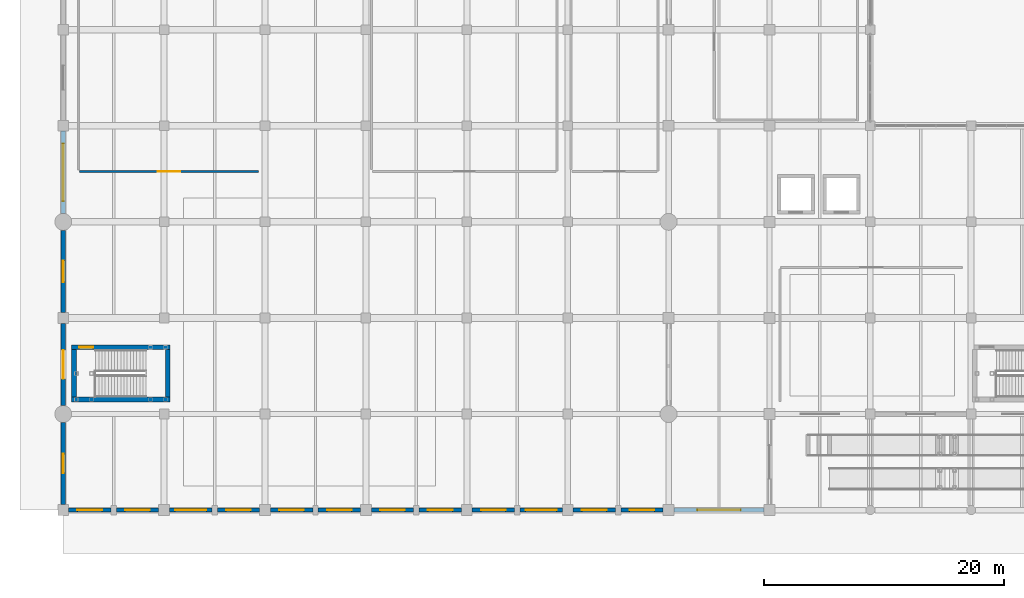
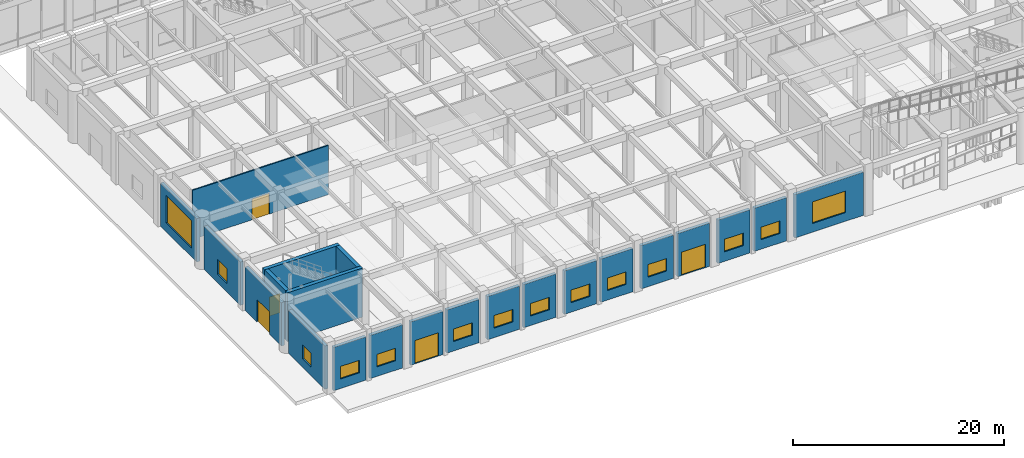
# One storey, part 49 of 76: 22 walls, 14 windows, 5 doors, 19 openings.
"""IFC4 building model written with IfcOpenShell, lengths in metres."""

from ifc_helpers import new_model, si_unit, direction, frame, frame_2d, origin, place, context, subcontext, project, spatial, rectangle, extrude, material, layer, layer_set, type_object, element, fill, save


model = new_model("IFC4")

# Units and contexts
model_context = context("Model", 3, precision=1e-05, world=origin(), true_north=direction((0.0, 1.0)))
body_context = subcontext(model_context, "Body", "Model", "MODEL_VIEW")
ifc_project = project(units=[si_unit("LENGTHUNIT", "METRE"), si_unit("AREAUNIT", "SQUARE_METRE"), si_unit("VOLUMEUNIT", "CUBIC_METRE"), si_unit("PLANEANGLEUNIT", "RADIAN"), si_unit("MASSUNIT", "GRAM", prefix="KILO")], contexts=[model_context])

# Site, building, storey
site_placement = place(None, origin())
site = spatial("IfcSite", under=ifc_project, at=site_placement, CompositionType="ELEMENT")
building_placement = place(site_placement, origin())
building = spatial("IfcBuilding", under=site, at=building_placement, Name="Naruveol Harbour Congress Hotel", CompositionType="ELEMENT")
storey_placement = place(building_placement, origin())
storey = spatial("IfcBuildingStorey", under=building, at=storey_placement, Name="L00", CompositionType="ELEMENT", Elevation=0.0)

# Wall, opening, window
ifc_material_1 = material(Name="Concrete C40/50", Category="concrete")
ifc_layer_1 = layer(ifc_material_1, 0.340087890625)
ifc_layer_set_1 = layer_set([ifc_layer_1], Name="Concrete C40/50")
wall_type_1 = type_object("IfcWallType", Name="ACOUSTIC CONGRESS ENVELOPE WALL 340", PredefinedType="SOLIDWALL", material=ifc_layer_set_1)
wall_1_placement = place(storey_placement, frame((49.949951171875, 0.0, 0.0), z_axis=(0.0, 0.0, 1.0), x_axis=(-1.0, 0.0, 0.0)))
wall_1 = element("IfcWall", 1, at=wall_1_placement, inside=storey, type_object=wall_type_1, Name="Congress south acoustic facade EW-340", PredefinedType="SOLIDWALL", context=body_context, shape_type="SweptSolid", body=[
    extrude(rectangle(XDim=3.52490234375, YDim=0.340087890625, at=frame_2d((1.762451171875, 0.0))), origin(), (0.0, 0.0, 1.0), 5.0),
])
opening_1_placement = place(wall_1_placement, frame((0.738037109375, 0.0, 1.10009765625)))
opening_1 = element("IfcOpeningElement", 2, at=opening_1_placement, cuts=wall_1, Name="Opening W-33", PredefinedType="OPENING", context=body_context, shape_type="SweptSolid", body=[
    extrude(rectangle(XDim=2.050048828125, YDim=1.449951171875, at=frame_2d((1.02490234375, 0.72509765625))), frame((0.0, 0.179931640625, 0.0), z_axis=(0.0, -1.0, 0.0), x_axis=(1.0, 0.0, 0.0)), (0.0, 0.0, 1.0), 0.360107421875),
])
ifc_material_2 = material(Name="Low-E Triple Glazing in Thermal Aluminium", Category="aluminium")
window_type_1 = type_object("IfcWindowType", Name="CONGRESS PILASTER BAY WINDOW 2050X1450", PartitioningType="DOUBLE_PANEL_VERTICAL", PredefinedType="WINDOW", material=ifc_material_2)
window_1_placement = place(opening_1_placement, origin())
window_1 = element("IfcWindow", 3, at=window_1_placement, inside=storey, type_object=window_type_1, Name="Window W-33 #1", OverallHeight=1.449951171875, OverallWidth=2.050048828125, PartitioningType="DOUBLE_PANEL_VERTICAL", PredefinedType="WINDOW", context=body_context, shape_type="SweptSolid", body=[
    extrude(rectangle(XDim=2.050048828125, YDim=1.449951171875, at=frame_2d((1.02490234375, 0.72509765625))), frame((0.0, 0.030029296875, 0.0), z_axis=(0.0, -1.0, 0.0), x_axis=(1.0, 0.0, 0.0)), (0.0, 0.0, 1.0), 0.06005859375),
])
fill(opening_1, window_1)

wall_2_placement = place(storey_placement, frame((45.97509765625, 0.0, 0.0), z_axis=(0.0, 0.0, 1.0), x_axis=(-1.0, 0.0, 0.0)))
wall_2 = element("IfcWall", 4, at=wall_2_placement, inside=storey, type_object=wall_type_1, Name="Congress south acoustic facade EW-340", PredefinedType="SOLIDWALL", context=body_context, shape_type="SweptSolid", body=[
    extrude(rectangle(XDim=3.525146484375, YDim=0.340087890625, at=frame_2d((1.7626953125, 0.0))), origin(), (0.0, 0.0, 1.0), 5.0),
])
opening_2_placement = place(wall_2_placement, frame((0.737060546875, 0.0, 1.10009765625)))
opening_2 = element("IfcOpeningElement", 5, at=opening_2_placement, cuts=wall_2, Name="Opening W-33", PredefinedType="OPENING", context=body_context, shape_type="SweptSolid", body=[
    extrude(rectangle(XDim=2.050048828125, YDim=1.449951171875, at=frame_2d((1.02490234375, 0.72509765625))), frame((0.0, 0.179931640625, 0.0), z_axis=(0.0, -1.0, 0.0), x_axis=(1.0, 0.0, 0.0)), (0.0, 0.0, 1.0), 0.360107421875),
])
window_2_placement = place(opening_2_placement, origin())
window_2 = element("IfcWindow", 6, at=window_2_placement, inside=storey, type_object=window_type_1, Name="Window W-33 #2", OverallHeight=1.449951171875, OverallWidth=2.050048828125, PartitioningType="DOUBLE_PANEL_VERTICAL", PredefinedType="WINDOW", context=body_context, shape_type="SweptSolid", body=[
    extrude(rectangle(XDim=2.050048828125, YDim=1.449951171875, at=frame_2d((1.02490234375, 0.72509765625))), frame((0.0, 0.030029296875, 0.0), z_axis=(0.0, -1.0, 0.0), x_axis=(1.0, 0.0, 0.0)), (0.0, 0.0, 1.0), 0.06005859375),
])
fill(opening_2, window_2)

# Wall, opening, door
wall_3_placement = place(storey_placement, frame((41.550048828125, 0.0, 0.0), z_axis=(0.0, 0.0, 1.0), x_axis=(-1.0, 0.0, 0.0)))
wall_3 = element("IfcWall", 7, at=wall_3_placement, inside=storey, type_object=wall_type_1, Name="Congress south acoustic facade EW-340", PredefinedType="SOLIDWALL", context=body_context, shape_type="SweptSolid", body=[
    extrude(rectangle(XDim=3.525146484375, YDim=0.340087890625, at=frame_2d((1.7626953125, 0.0))), origin(), (0.0, 0.0, 1.0), 5.0),
])
opening_3_placement = place(wall_3_placement, frame((0.4619140625, 0.0, 0.0)))
opening_3 = element("IfcOpeningElement", 8, at=opening_3_placement, cuts=wall_3, Name="Opening E1", PredefinedType="OPENING", context=body_context, shape_type="SweptSolid", body=[
    extrude(rectangle(XDim=2.60009765625, YDim=2.699951171875, at=frame_2d((1.300048828125, 1.35009765625))), frame((0.0, 0.179931640625, 0.0), z_axis=(0.0, -1.0, 0.0), x_axis=(1.0, 0.0, 0.0)), (0.0, 0.0, 1.0), 0.360107421875),
])
ifc_material_3 = material(Name="Powder-Coated Steel & Insulated Glazing", Category="steel")
door_type_1 = type_object("IfcDoorType", Name="FINAL EXIT CONGRESS DOOR 2600X2700", OperationType="DOUBLE_DOOR_SINGLE_SWING", PredefinedType="DOOR", material=ifc_material_3)
door_1_placement = place(opening_3_placement, origin())
door_1 = element("IfcDoor", 9, at=door_1_placement, inside=storey, type_object=door_type_1, Name="Final Exit Door E1", OperationType="DOUBLE_DOOR_SINGLE_SWING", OverallHeight=2.699951171875, OverallWidth=2.60009765625, PredefinedType="DOOR", context=body_context, shape_type="SweptSolid", body=[
    extrude(rectangle(XDim=2.60009765625, YDim=2.699951171875, at=frame_2d((1.300048828125, 1.35009765625))), frame((0.0, 0.02490234375, 0.0), z_axis=(0.0, -1.0, 0.0), x_axis=(1.0, 0.0, 0.0)), (0.0, 0.0, 1.0), 0.050048828125),
])
fill(opening_3, door_1)

# Wall, opening, window
wall_4_placement = place(storey_placement, frame((37.574951171875, 0.0, 0.0), z_axis=(0.0, 0.0, 1.0), x_axis=(-1.0, 0.0, 0.0)))
wall_4 = element("IfcWall", 10, at=wall_4_placement, inside=storey, type_object=wall_type_1, Name="Congress south acoustic facade EW-340", PredefinedType="SOLIDWALL", context=body_context, shape_type="SweptSolid", body=[
    extrude(rectangle(XDim=3.52490234375, YDim=0.340087890625, at=frame_2d((1.762451171875, 0.0))), origin(), (0.0, 0.0, 1.0), 5.0),
])
opening_4_placement = place(wall_4_placement, frame((0.738037109375, 0.0, 1.10009765625)))
opening_4 = element("IfcOpeningElement", 11, at=opening_4_placement, cuts=wall_4, Name="Opening W-33", PredefinedType="OPENING", context=body_context, shape_type="SweptSolid", body=[
    extrude(rectangle(XDim=2.050048828125, YDim=1.449951171875, at=frame_2d((1.02490234375, 0.72509765625))), frame((0.0, 0.179931640625, 0.0), z_axis=(0.0, -1.0, 0.0), x_axis=(1.0, 0.0, 0.0)), (0.0, 0.0, 1.0), 0.360107421875),
])
window_3_placement = place(opening_4_placement, origin())
window_3 = element("IfcWindow", 12, at=window_3_placement, inside=storey, type_object=window_type_1, Name="Window W-33 #3", OverallHeight=1.449951171875, OverallWidth=2.050048828125, PartitioningType="DOUBLE_PANEL_VERTICAL", PredefinedType="WINDOW", context=body_context, shape_type="SweptSolid", body=[
    extrude(rectangle(XDim=2.050048828125, YDim=1.449951171875, at=frame_2d((1.02490234375, 0.72509765625))), frame((0.0, 0.030029296875, 0.0), z_axis=(0.0, -1.0, 0.0), x_axis=(1.0, 0.0, 0.0)), (0.0, 0.0, 1.0), 0.06005859375),
])
fill(opening_4, window_3)

wall_5_placement = place(storey_placement, frame((33.14990234375, 0.0, 0.0), z_axis=(0.0, 0.0, 1.0), x_axis=(-1.0, 0.0, 0.0)))
wall_5 = element("IfcWall", 13, at=wall_5_placement, inside=storey, type_object=wall_type_1, Name="Congress south acoustic facade EW-340", PredefinedType="SOLIDWALL", context=body_context, shape_type="SweptSolid", body=[
    extrude(rectangle(XDim=3.52490234375, YDim=0.340087890625, at=frame_2d((1.762451171875, 0.0))), origin(), (0.0, 0.0, 1.0), 5.0),
])
opening_5_placement = place(wall_5_placement, frame((0.737060546875, 0.0, 1.10009765625)))
opening_5 = element("IfcOpeningElement", 14, at=opening_5_placement, cuts=wall_5, Name="Opening W-33", PredefinedType="OPENING", context=body_context, shape_type="SweptSolid", body=[
    extrude(rectangle(XDim=2.050048828125, YDim=1.449951171875, at=frame_2d((1.02490234375, 0.72509765625))), frame((0.0, 0.179931640625, 0.0), z_axis=(0.0, -1.0, 0.0), x_axis=(1.0, 0.0, 0.0)), (0.0, 0.0, 1.0), 0.360107421875),
])
window_4_placement = place(opening_5_placement, origin())
window_4 = element("IfcWindow", 15, at=window_4_placement, inside=storey, type_object=window_type_1, Name="Window W-33 #4", OverallHeight=1.449951171875, OverallWidth=2.050048828125, PartitioningType="DOUBLE_PANEL_VERTICAL", PredefinedType="WINDOW", context=body_context, shape_type="SweptSolid", body=[
    extrude(rectangle(XDim=2.050048828125, YDim=1.449951171875, at=frame_2d((1.02490234375, 0.72509765625))), frame((0.0, 0.030029296875, 0.0), z_axis=(0.0, -1.0, 0.0), x_axis=(1.0, 0.0, 0.0)), (0.0, 0.0, 1.0), 0.06005859375),
])
fill(opening_5, window_4)

wall_6_placement = place(storey_placement, frame((29.175048828125, 0.0, 0.0), z_axis=(0.0, 0.0, 1.0), x_axis=(-1.0, 0.0, 0.0)))
wall_6 = element("IfcWall", 16, at=wall_6_placement, inside=storey, type_object=wall_type_1, Name="Congress south acoustic facade EW-340", PredefinedType="SOLIDWALL", context=body_context, shape_type="SweptSolid", body=[
    extrude(rectangle(XDim=3.525146484375, YDim=0.340087890625, at=frame_2d((1.7626953125, 0.0))), origin(), (0.0, 0.0, 1.0), 5.0),
])
opening_6_placement = place(wall_6_placement, frame((0.738037109375, 0.0, 1.10009765625)))
opening_6 = element("IfcOpeningElement", 17, at=opening_6_placement, cuts=wall_6, Name="Opening W-33", PredefinedType="OPENING", context=body_context, shape_type="SweptSolid", body=[
    extrude(rectangle(XDim=2.050048828125, YDim=1.449951171875, at=frame_2d((1.02490234375, 0.72509765625))), frame((0.0, 0.179931640625, 0.0), z_axis=(0.0, -1.0, 0.0), x_axis=(1.0, 0.0, 0.0)), (0.0, 0.0, 1.0), 0.360107421875),
])
window_5_placement = place(opening_6_placement, origin())
window_5 = element("IfcWindow", 18, at=window_5_placement, inside=storey, type_object=window_type_1, Name="Window W-33 #5", OverallHeight=1.449951171875, OverallWidth=2.050048828125, PartitioningType="DOUBLE_PANEL_VERTICAL", PredefinedType="WINDOW", context=body_context, shape_type="SweptSolid", body=[
    extrude(rectangle(XDim=2.050048828125, YDim=1.449951171875, at=frame_2d((1.02490234375, 0.72509765625))), frame((0.0, 0.030029296875, 0.0), z_axis=(0.0, -1.0, 0.0), x_axis=(1.0, 0.0, 0.0)), (0.0, 0.0, 1.0), 0.06005859375),
])
fill(opening_6, window_5)

wall_7_placement = place(storey_placement, frame((24.75, 0.0, 0.0), z_axis=(0.0, 0.0, 1.0), x_axis=(-1.0, 0.0, 0.0)))
wall_7 = element("IfcWall", 19, at=wall_7_placement, inside=storey, type_object=wall_type_1, Name="Congress south acoustic facade EW-340", PredefinedType="SOLIDWALL", context=body_context, shape_type="SweptSolid", body=[
    extrude(rectangle(XDim=3.52490234375, YDim=0.340087890625, at=frame_2d((1.762451171875, 0.0))), origin(), (0.0, 0.0, 1.0), 5.0),
])
opening_7_placement = place(wall_7_placement, frame((0.737060546875, 0.0, 1.10009765625)))
opening_7 = element("IfcOpeningElement", 20, at=opening_7_placement, cuts=wall_7, Name="Opening W-33", PredefinedType="OPENING", context=body_context, shape_type="SweptSolid", body=[
    extrude(rectangle(XDim=2.050048828125, YDim=1.449951171875, at=frame_2d((1.02490234375, 0.72509765625))), frame((0.0, 0.179931640625, 0.0), z_axis=(0.0, -1.0, 0.0), x_axis=(1.0, 0.0, 0.0)), (0.0, 0.0, 1.0), 0.360107421875),
])
window_6_placement = place(opening_7_placement, origin())
window_6 = element("IfcWindow", 21, at=window_6_placement, inside=storey, type_object=window_type_1, Name="Window W-33 #6", OverallHeight=1.449951171875, OverallWidth=2.050048828125, PartitioningType="DOUBLE_PANEL_VERTICAL", PredefinedType="WINDOW", context=body_context, shape_type="SweptSolid", body=[
    extrude(rectangle(XDim=2.050048828125, YDim=1.449951171875, at=frame_2d((1.02490234375, 0.72509765625))), frame((0.0, 0.030029296875, 0.0), z_axis=(0.0, -1.0, 0.0), x_axis=(1.0, 0.0, 0.0)), (0.0, 0.0, 1.0), 0.06005859375),
])
fill(opening_7, window_6)

wall_8_placement = place(storey_placement, frame((20.77490234375, 0.0, 0.0), z_axis=(0.0, 0.0, 1.0), x_axis=(-1.0, 0.0, 0.0)))
wall_8 = element("IfcWall", 22, at=wall_8_placement, inside=storey, type_object=wall_type_1, Name="Congress south acoustic facade EW-340", PredefinedType="SOLIDWALL", context=body_context, shape_type="SweptSolid", body=[
    extrude(rectangle(XDim=3.52490234375, YDim=0.340087890625, at=frame_2d((1.762451171875, 0.0))), origin(), (0.0, 0.0, 1.0), 5.0),
])
opening_8_placement = place(wall_8_placement, frame((0.737060546875, 0.0, 1.10009765625)))
opening_8 = element("IfcOpeningElement", 23, at=opening_8_placement, cuts=wall_8, Name="Opening W-33", PredefinedType="OPENING", context=body_context, shape_type="SweptSolid", body=[
    extrude(rectangle(XDim=2.050048828125, YDim=1.449951171875, at=frame_2d((1.02490234375, 0.72509765625))), frame((0.0, 0.179931640625, 0.0), z_axis=(0.0, -1.0, 0.0), x_axis=(1.0, 0.0, 0.0)), (0.0, 0.0, 1.0), 0.360107421875),
])
window_7_placement = place(opening_8_placement, origin())
window_7 = element("IfcWindow", 24, at=window_7_placement, inside=storey, type_object=window_type_1, Name="Window W-33 #7", OverallHeight=1.449951171875, OverallWidth=2.050048828125, PartitioningType="DOUBLE_PANEL_VERTICAL", PredefinedType="WINDOW", context=body_context, shape_type="SweptSolid", body=[
    extrude(rectangle(XDim=2.050048828125, YDim=1.449951171875, at=frame_2d((1.02490234375, 0.72509765625))), frame((0.0, 0.030029296875, 0.0), z_axis=(0.0, -1.0, 0.0), x_axis=(1.0, 0.0, 0.0)), (0.0, 0.0, 1.0), 0.06005859375),
])
fill(opening_8, window_7)

wall_9_placement = place(storey_placement, frame((16.35009765625, 0.0, 0.0), z_axis=(0.0, 0.0, 1.0), x_axis=(-1.0, 0.0, 0.0)))
wall_9 = element("IfcWall", 25, at=wall_9_placement, inside=storey, type_object=wall_type_1, Name="Congress south acoustic facade EW-340", PredefinedType="SOLIDWALL", context=body_context, shape_type="SweptSolid", body=[
    extrude(rectangle(XDim=3.525146484375, YDim=0.340087890625, at=frame_2d((1.7626953125, 0.0))), origin(), (0.0, 0.0, 1.0), 5.0),
])
opening_9_placement = place(wall_9_placement, frame((0.738037109375, 0.0, 1.10009765625)))
opening_9 = element("IfcOpeningElement", 26, at=opening_9_placement, cuts=wall_9, Name="Opening W-33", PredefinedType="OPENING", context=body_context, shape_type="SweptSolid", body=[
    extrude(rectangle(XDim=2.050048828125, YDim=1.449951171875, at=frame_2d((1.02490234375, 0.72509765625))), frame((0.0, 0.179931640625, 0.0), z_axis=(0.0, -1.0, 0.0), x_axis=(1.0, 0.0, 0.0)), (0.0, 0.0, 1.0), 0.360107421875),
])
window_8_placement = place(opening_9_placement, origin())
window_8 = element("IfcWindow", 27, at=window_8_placement, inside=storey, type_object=window_type_1, Name="Window W-33 #8", OverallHeight=1.449951171875, OverallWidth=2.050048828125, PartitioningType="DOUBLE_PANEL_VERTICAL", PredefinedType="WINDOW", context=body_context, shape_type="SweptSolid", body=[
    extrude(rectangle(XDim=2.050048828125, YDim=1.449951171875, at=frame_2d((1.02490234375, 0.72509765625))), frame((0.0, 0.030029296875, 0.0), z_axis=(0.0, -1.0, 0.0), x_axis=(1.0, 0.0, 0.0)), (0.0, 0.0, 1.0), 0.06005859375),
])
fill(opening_9, window_8)

# Wall, opening, door
wall_10_placement = place(storey_placement, frame((12.375, 0.0, 0.0), z_axis=(0.0, 0.0, 1.0), x_axis=(-1.0, 0.0, 0.0)))
wall_10 = element("IfcWall", 28, at=wall_10_placement, inside=storey, type_object=wall_type_1, Name="Congress south acoustic facade EW-340", PredefinedType="SOLIDWALL", context=body_context, shape_type="SweptSolid", body=[
    extrude(rectangle(XDim=3.52490234375, YDim=0.340087890625, at=frame_2d((1.762451171875, 0.0))), origin(), (0.0, 0.0, 1.0), 5.0),
])
opening_10_placement = place(wall_10_placement, frame((0.462890625, 0.0, 0.0)))
opening_10 = element("IfcOpeningElement", 29, at=opening_10_placement, cuts=wall_10, Name="Opening E2", PredefinedType="OPENING", context=body_context, shape_type="SweptSolid", body=[
    extrude(rectangle(XDim=2.60009765625, YDim=2.699951171875, at=frame_2d((1.300048828125, 1.35009765625))), frame((0.0, 0.179931640625, 0.0), z_axis=(0.0, -1.0, 0.0), x_axis=(1.0, 0.0, 0.0)), (0.0, 0.0, 1.0), 0.360107421875),
])
door_2_placement = place(opening_10_placement, origin())
door_2 = element("IfcDoor", 30, at=door_2_placement, inside=storey, type_object=door_type_1, Name="Final Exit Door E2", OperationType="DOUBLE_DOOR_SINGLE_SWING", OverallHeight=2.699951171875, OverallWidth=2.60009765625, PredefinedType="DOOR", context=body_context, shape_type="SweptSolid", body=[
    extrude(rectangle(XDim=2.60009765625, YDim=2.699951171875, at=frame_2d((1.300048828125, 1.35009765625))), frame((0.0, 0.02490234375, 0.0), z_axis=(0.0, -1.0, 0.0), x_axis=(1.0, 0.0, 0.0)), (0.0, 0.0, 1.0), 0.050048828125),
])
fill(opening_10, door_2)

# Wall, opening, window
wall_11_placement = place(storey_placement, frame((7.949951171875, 0.0, 0.0), z_axis=(0.0, 0.0, 1.0), x_axis=(-1.0, 0.0, 0.0)))
wall_11 = element("IfcWall", 31, at=wall_11_placement, inside=storey, type_object=wall_type_1, Name="Congress south acoustic facade EW-340", PredefinedType="SOLIDWALL", context=body_context, shape_type="SweptSolid", body=[
    extrude(rectangle(XDim=3.52490234375, YDim=0.340087890625, at=frame_2d((1.762451171875, 0.0))), origin(), (0.0, 0.0, 1.0), 5.0),
])
opening_11_placement = place(wall_11_placement, frame((0.738037109375, 0.0, 1.10009765625)))
opening_11 = element("IfcOpeningElement", 32, at=opening_11_placement, cuts=wall_11, Name="Opening W-33", PredefinedType="OPENING", context=body_context, shape_type="SweptSolid", body=[
    extrude(rectangle(XDim=2.050048828125, YDim=1.449951171875, at=frame_2d((1.02490234375, 0.72509765625))), frame((0.0, 0.179931640625, 0.0), z_axis=(0.0, -1.0, 0.0), x_axis=(1.0, 0.0, 0.0)), (0.0, 0.0, 1.0), 0.360107421875),
])
window_9_placement = place(opening_11_placement, origin())
window_9 = element("IfcWindow", 33, at=window_9_placement, inside=storey, type_object=window_type_1, Name="Window W-33 #9", OverallHeight=1.449951171875, OverallWidth=2.050048828125, PartitioningType="DOUBLE_PANEL_VERTICAL", PredefinedType="WINDOW", context=body_context, shape_type="SweptSolid", body=[
    extrude(rectangle(XDim=2.050048828125, YDim=1.449951171875, at=frame_2d((1.02490234375, 0.72509765625))), frame((0.0, 0.030029296875, 0.0), z_axis=(0.0, -1.0, 0.0), x_axis=(1.0, 0.0, 0.0)), (0.0, 0.0, 1.0), 0.06005859375),
])
fill(opening_11, window_9)

wall_12_placement = place(storey_placement, frame((3.97509765625, 0.0, 0.0), z_axis=(0.0, 0.0, 1.0), x_axis=(-1.0, 0.0, 0.0)))
wall_12 = element("IfcWall", 34, at=wall_12_placement, inside=storey, type_object=wall_type_1, Name="Congress south acoustic facade EW-340", PredefinedType="SOLIDWALL", context=body_context, shape_type="SweptSolid", body=[
    extrude(rectangle(XDim=3.525146484375, YDim=0.340087890625, at=frame_2d((1.7626953125, 0.0))), origin(), (0.0, 0.0, 1.0), 5.0),
])
opening_12_placement = place(wall_12_placement, frame((0.738037109375, 0.0, 1.10009765625)))
opening_12 = element("IfcOpeningElement", 35, at=opening_12_placement, cuts=wall_12, Name="Opening W-33", PredefinedType="OPENING", context=body_context, shape_type="SweptSolid", body=[
    extrude(rectangle(XDim=2.050048828125, YDim=1.449951171875, at=frame_2d((1.02490234375, 0.72509765625))), frame((0.0, 0.179931640625, 0.0), z_axis=(0.0, -1.0, 0.0), x_axis=(1.0, 0.0, 0.0)), (0.0, 0.0, 1.0), 0.360107421875),
])
window_10_placement = place(opening_12_placement, origin())
window_10 = element("IfcWindow", 36, at=window_10_placement, inside=storey, type_object=window_type_1, Name="Window W-33 #10", OverallHeight=1.449951171875, OverallWidth=2.050048828125, PartitioningType="DOUBLE_PANEL_VERTICAL", PredefinedType="WINDOW", context=body_context, shape_type="SweptSolid", body=[
    extrude(rectangle(XDim=2.050048828125, YDim=1.449951171875, at=frame_2d((1.02490234375, 0.72509765625))), frame((0.0, 0.030029296875, 0.0), z_axis=(0.0, -1.0, 0.0), x_axis=(1.0, 0.0, 0.0)), (0.0, 0.0, 1.0), 0.06005859375),
])
fill(opening_12, window_10)

wall_13_placement = place(storey_placement, frame((58.35009765625, 0.0, 0.0), z_axis=(0.0, 0.0, 1.0), x_axis=(-1.0, 0.0, 0.0)))
wall_13 = element("IfcWall", 37, at=wall_13_placement, inside=storey, type_object=wall_type_1, Name="Congress foyer south wall EW-340", PredefinedType="SOLIDWALL", context=body_context, shape_type="SweptSolid", body=[
    extrude(rectangle(XDim=7.5, YDim=0.340087890625, at=frame_2d((3.75, 0.0))), origin(), (0.0, 0.0, 1.0), 5.0),
])
opening_13_placement = place(wall_13_placement, frame((1.949951171875, 0.0, 1.0)))
opening_13 = element("IfcOpeningElement", 38, at=opening_13_placement, cuts=wall_13, Name="Opening W-12", PredefinedType="OPENING", context=body_context, shape_type="SweptSolid", body=[
    extrude(rectangle(XDim=3.60009765625, YDim=2.5, at=frame_2d((1.800048828125, 1.25))), frame((0.0, 0.179931640625, 0.0), z_axis=(0.0, -1.0, 0.0), x_axis=(1.0, 0.0, 0.0)), (0.0, 0.0, 1.0), 0.360107421875),
])
ifc_material_4 = material(Name="Low-E Triple Glazing in Thermal Aluminium", Category="aluminium")
window_type_2 = type_object("IfcWindowType", Name="CONCOURSE PICTURE WINDOW 3600X2500", PartitioningType="DOUBLE_PANEL_VERTICAL", PredefinedType="WINDOW", material=ifc_material_4)
window_11_placement = place(opening_13_placement, origin())
window_11 = element("IfcWindow", 39, at=window_11_placement, inside=storey, type_object=window_type_2, Name="Window W-12 #11", OverallHeight=2.5, OverallWidth=3.60009765625, PartitioningType="DOUBLE_PANEL_VERTICAL", PredefinedType="WINDOW", context=body_context, shape_type="SweptSolid", body=[
    extrude(rectangle(XDim=3.60009765625, YDim=2.5, at=frame_2d((1.800048828125, 1.25))), frame((0.0, 0.030029296875, 0.0), z_axis=(0.0, -1.0, 0.0), x_axis=(1.0, 0.0, 0.0)), (0.0, 0.0, 1.0), 0.06005859375),
])
fill(opening_13, window_11)

wall_14_placement = place(storey_placement, frame((0.0, 0.449951171875, 0.0), z_axis=(0.0, 0.0, 1.0), x_axis=(0.0, 1.0, 0.0)))
wall_14 = element("IfcWall", 40, at=wall_14_placement, inside=storey, type_object=wall_type_1, Name="Congress west quay facade EW-340", PredefinedType="SOLIDWALL", context=body_context, shape_type="SweptSolid", body=[
    extrude(rectangle(XDim=6.85009765625, YDim=0.340087890625, at=frame_2d((3.425048828125, 0.0))), origin(), (0.0, 0.0, 1.0), 5.0),
])
opening_14_placement = place(wall_14_placement, frame((2.625, 0.0, 1.0)))
opening_14 = element("IfcOpeningElement", 41, at=opening_14_placement, cuts=wall_14, Name="Opening W-03", PredefinedType="OPENING", context=body_context, shape_type="SweptSolid", body=[
    extrude(rectangle(XDim=1.60009765625, YDim=1.60009765625, at=frame_2d((0.800048828125, 0.800048828125))), frame((0.0, 0.179931640625, 0.0), z_axis=(0.0, -1.0, 0.0), x_axis=(1.0, 0.0, 0.0)), (0.0, 0.0, 1.0), 0.360107421875),
])
ifc_material_5 = material(Name="Low-E Triple Glazing in Thermal Aluminium", Category="aluminium")
window_type_3 = type_object("IfcWindowType", Name="DELUXE GUEST WINDOW 1600X1600", PartitioningType="SINGLE_PANEL", PredefinedType="WINDOW", material=ifc_material_5)
window_12_placement = place(opening_14_placement, origin())
window_12 = element("IfcWindow", 42, at=window_12_placement, inside=storey, type_object=window_type_3, Name="Window W-03 #12", OverallHeight=1.60009765625, OverallWidth=1.60009765625, PartitioningType="SINGLE_PANEL", PredefinedType="WINDOW", context=body_context, shape_type="SweptSolid", body=[
    extrude(rectangle(XDim=1.60009765625, YDim=1.60009765625, at=frame_2d((0.800048828125, 0.800048828125))), frame((0.0, 0.030029296875, 0.0), z_axis=(0.0, -1.0, 0.0), x_axis=(1.0, 0.0, 0.0)), (0.0, 0.0, 1.0), 0.06005859375),
])
fill(opening_14, window_12)

# Wall, opening, door
wall_15_placement = place(storey_placement, frame((0.0, 8.699951171875, 0.0), z_axis=(0.0, 0.0, 1.0), x_axis=(0.0, 1.0, 0.0)))
wall_15 = element("IfcWall", 43, at=wall_15_placement, inside=storey, type_object=wall_type_1, Name="Congress west quay facade EW-340", PredefinedType="SOLIDWALL", context=body_context, shape_type="SweptSolid", body=[
    extrude(rectangle(XDim=6.85009765625, YDim=0.340087890625, at=frame_2d((3.425048828125, 0.0))), origin(), (0.0, 0.0, 1.0), 5.0),
])
opening_15_placement = place(wall_15_placement, frame((2.22509765625, 0.0, 0.0)))
opening_15 = element("IfcOpeningElement", 44, at=opening_15_placement, cuts=wall_15, Name="Opening E3", PredefinedType="OPENING", context=body_context, shape_type="SweptSolid", body=[
    extrude(rectangle(XDim=2.39990234375, YDim=2.60009765625, at=frame_2d((1.199951171875, 1.300048828125))), frame((0.0, 0.179931640625, 0.0), z_axis=(0.0, -1.0, 0.0), x_axis=(1.0, 0.0, 0.0)), (0.0, 0.0, 1.0), 0.360107421875),
])
ifc_material_6 = material(Name="Powder-Coated Steel & Insulated Glazing", Category="steel")
door_type_2 = type_object("IfcDoorType", Name="FINAL EXIT DOUBLE DOOR 2400X2600", OperationType="DOUBLE_DOOR_SINGLE_SWING", PredefinedType="DOOR", material=ifc_material_6)
door_3_placement = place(opening_15_placement, origin())
door_3 = element("IfcDoor", 45, at=door_3_placement, inside=storey, type_object=door_type_2, Name="Final Exit Door E3", OperationType="DOUBLE_DOOR_SINGLE_SWING", OverallHeight=2.60009765625, OverallWidth=2.39990234375, PredefinedType="DOOR", context=body_context, shape_type="SweptSolid", body=[
    extrude(rectangle(XDim=2.39990234375, YDim=2.60009765625, at=frame_2d((1.199951171875, 1.300048828125))), frame((0.0, 0.02490234375, 0.0), z_axis=(0.0, -1.0, 0.0), x_axis=(1.0, 0.0, 0.0)), (0.0, 0.0, 1.0), 0.050048828125),
])
fill(opening_15, door_3)

# Wall, opening, window
wall_16_placement = place(storey_placement, frame((0.0, 16.449951171875, 0.0), z_axis=(0.0, 0.0, 1.0), x_axis=(0.0, 1.0, 0.0)))
wall_16 = element("IfcWall", 46, at=wall_16_placement, inside=storey, type_object=wall_type_1, Name="Congress west quay facade EW-340", PredefinedType="SOLIDWALL", context=body_context, shape_type="SweptSolid", body=[
    extrude(rectangle(XDim=6.85009765625, YDim=0.340087890625, at=frame_2d((3.425048828125, 0.0))), origin(), (0.0, 0.0, 1.0), 5.0),
])
opening_16_placement = place(wall_16_placement, frame((2.52490234375, 0.0, 1.0)))
opening_16 = element("IfcOpeningElement", 47, at=opening_16_placement, cuts=wall_16, Name="Opening W-04", PredefinedType="OPENING", context=body_context, shape_type="SweptSolid", body=[
    extrude(rectangle(XDim=1.800048828125, YDim=1.699951171875, at=frame_2d((0.89990234375, 0.85009765625))), frame((0.0, 0.179931640625, 0.0), z_axis=(0.0, -1.0, 0.0), x_axis=(1.0, 0.0, 0.0)), (0.0, 0.0, 1.0), 0.360107421875),
])
ifc_material_7 = material(Name="Low-E Triple Glazing in Thermal Aluminium", Category="aluminium")
window_type_4 = type_object("IfcWindowType", Name="DELUXE PANORAMA WINDOW 1800X1700", PartitioningType="DOUBLE_PANEL_VERTICAL", PredefinedType="WINDOW", material=ifc_material_7)
window_13_placement = place(opening_16_placement, origin())
window_13 = element("IfcWindow", 48, at=window_13_placement, inside=storey, type_object=window_type_4, Name="Window W-04 #13", OverallHeight=1.699951171875, OverallWidth=1.800048828125, PartitioningType="DOUBLE_PANEL_VERTICAL", PredefinedType="WINDOW", context=body_context, shape_type="SweptSolid", body=[
    extrude(rectangle(XDim=1.800048828125, YDim=1.699951171875, at=frame_2d((0.89990234375, 0.85009765625))), frame((0.0, 0.030029296875, 0.0), z_axis=(0.0, -1.0, 0.0), x_axis=(1.0, 0.0, 0.0)), (0.0, 0.0, 1.0), 0.06005859375),
])
fill(opening_16, window_13)

wall_17_placement = place(storey_placement, frame((0.0, 24.699951171875, 0.0), z_axis=(0.0, 0.0, 1.0), x_axis=(0.0, 1.0, 0.0)))
wall_17 = element("IfcWall", 49, at=wall_17_placement, inside=storey, type_object=wall_type_1, Name="Congress west quay facade EW-340", PredefinedType="SOLIDWALL", context=body_context, shape_type="SweptSolid", body=[
    extrude(rectangle(XDim=6.85009765625, YDim=0.340087890625, at=frame_2d((3.425048828125, 0.0))), origin(), (0.0, 0.0, 1.0), 5.0),
])
opening_17_placement = place(wall_17_placement, frame((1.02490234375, 0.0, 1.0)))
opening_17 = element("IfcOpeningElement", 50, at=opening_17_placement, cuts=wall_17, Name="Opening W-15", PredefinedType="OPENING", context=body_context, shape_type="SweptSolid", body=[
    extrude(rectangle(XDim=4.800048828125, YDim=3.199951171875, at=frame_2d((2.39990234375, 1.60009765625))), frame((0.0, 0.179931640625, 0.0), z_axis=(0.0, -1.0, 0.0), x_axis=(1.0, 0.0, 0.0)), (0.0, 0.0, 1.0), 0.360107421875),
])
ifc_material_8 = material(Name="Low-E Triple Glazing in Thermal Aluminium", Category="aluminium")
window_type_5 = type_object("IfcWindowType", Name="CONGRESS FOYER GRAND WINDOW 4800X3200", PartitioningType="DOUBLE_PANEL_VERTICAL", PredefinedType="WINDOW", material=ifc_material_8)
window_14_placement = place(opening_17_placement, origin())
window_14 = element("IfcWindow", 51, at=window_14_placement, inside=storey, type_object=window_type_5, Name="Window W-15 #14", OverallHeight=3.199951171875, OverallWidth=4.800048828125, PartitioningType="DOUBLE_PANEL_VERTICAL", PredefinedType="WINDOW", context=body_context, shape_type="SweptSolid", body=[
    extrude(rectangle(XDim=4.800048828125, YDim=3.199951171875, at=frame_2d((2.39990234375, 1.60009765625))), frame((0.0, 0.030029296875, 0.0), z_axis=(0.0, -1.0, 0.0), x_axis=(1.0, 0.0, 0.0)), (0.0, 0.0, 1.0), 0.06005859375),
])
fill(opening_17, window_14)

# Wall, opening, door
ifc_material_9 = material(Name="Acoustic Double Stud Gypsum", Category="gypsum")
ifc_layer_2 = layer(ifc_material_9, 0.139892578125)
ifc_layer_set_2 = layer_set([ifc_layer_2], Name="Acoustic Double Stud Gypsum")
wall_type_2 = type_object("IfcWallType", Name="ACOUSTIC MEETING PARTITION WALL 140", PredefinedType="PARTITIONING", material=ifc_layer_set_2)
wall_18_placement = place(storey_placement, frame((1.360107421875, 28.199951171875, 0.0), z_axis=(0.0, 0.0, 1.0), x_axis=(1.0, 0.0, 0.0)))
wall_18 = element("IfcWall", 52, at=wall_18_placement, inside=storey, type_object=wall_type_2, Name="VIP Delegate Lounge south entry wall PW-140", PredefinedType="PARTITIONING", context=body_context, shape_type="SweptSolid", body=[
    extrude(rectangle(XDim=14.8798828125, YDim=0.139892578125, at=frame_2d((7.43994140625, 0.0))), origin(), (0.0, 0.0, 1.0), 5.675048828125),
])
opening_18_placement = place(wall_18_placement, frame((6.489990234375, 0.0, 0.0)))
opening_18 = element("IfcOpeningElement", 53, at=opening_18_placement, cuts=wall_18, Name="Opening ID-LG-14", PredefinedType="OPENING", context=body_context, shape_type="SweptSolid", body=[
    extrude(rectangle(XDim=1.89990234375, YDim=2.39990234375, at=frame_2d((0.949951171875, 1.199951171875))), frame((0.0, 0.079833984375, 0.0), z_axis=(0.0, -1.0, 0.0), x_axis=(1.0, 0.0, 0.0)), (0.0, 0.0, 1.0), 0.159912109375),
])
ifc_material_10 = material(Name="Timber & Steel Acoustic Leaf", Category="steel")
door_type_3 = type_object("IfcDoorType", Name="RESTAURANT AND LOUNGE GLAZED DOOR 1900X2400", OperationType="DOUBLE_DOOR_SINGLE_SWING", PredefinedType="DOOR", material=ifc_material_10)
door_4_placement = place(opening_18_placement, origin())
door_4 = element("IfcDoor", 54, at=door_4_placement, inside=storey, type_object=door_type_3, Name="VIP Delegate Lounge Entrance Door", OperationType="DOUBLE_DOOR_SINGLE_SWING", OverallHeight=2.39990234375, OverallWidth=1.89990234375, PredefinedType="DOOR", context=body_context, shape_type="SweptSolid", body=[
    extrude(rectangle(XDim=1.89990234375, YDim=2.39990234375, at=frame_2d((0.949951171875, 1.199951171875))), frame((0.0, 0.02490234375, 0.0), z_axis=(0.0, -1.0, 0.0), x_axis=(1.0, 0.0, 0.0)), (0.0, 0.0, 1.0), 0.050048828125),
])
fill(opening_18, door_4)

# Walls
ifc_material_11 = material(Name="Concrete C50/60", Category="concrete")
ifc_layer_3 = layer(ifc_material_11, 0.39990234375)
ifc_layer_set_3 = layer_set([ifc_layer_3], Name="Concrete C50/60")
wall_type_3 = type_object("IfcWallType", Name="RC CORE SHEAR WALL 400 EI120", PredefinedType="SHEAR", material=ifc_layer_set_3)
wall_19_placement = place(storey_placement, frame((0.699951171875, 9.199951171875, 0.0), z_axis=(0.0, 0.0, 1.0), x_axis=(1.0, 0.0, 0.0)))
element("IfcWall", 55, at=wall_19_placement, inside=storey, type_object=wall_type_3, Name="Stair ST5 south core wall CW-400", PredefinedType="SHEAR", context=body_context, shape_type="SweptSolid", body=[
    extrude(rectangle(XDim=8.199951171875, YDim=0.39990234375, at=frame_2d((4.10009765625, 0.0))), origin(), (0.0, 0.0, 1.0), 5.675048828125),
])
wall_20_placement = place(storey_placement, frame((8.699951171875, 9.405029296875, 0.0), z_axis=(0.0, 0.0, 1.0), x_axis=(0.0, 1.0, 0.0)))
element("IfcWall", 56, at=wall_20_placement, inside=storey, type_object=wall_type_3, Name="Stair ST5 east core wall CW-400", PredefinedType="SHEAR", context=body_context, shape_type="SweptSolid", body=[
    extrude(rectangle(XDim=3.949951171875, YDim=0.39990234375, at=frame_2d((1.97509765625, 0.0))), origin(), (0.0, 0.0, 1.0), 5.675048828125),
])

# Wall, opening, door
wall_21_placement = place(storey_placement, frame((0.699951171875, 13.56005859375, 0.0), z_axis=(0.0, 0.0, 1.0), x_axis=(1.0, 0.0, 0.0)))
wall_21 = element("IfcWall", 57, at=wall_21_placement, inside=storey, type_object=wall_type_3, Name="Stair ST5 north core wall CW-400", PredefinedType="SHEAR", context=body_context, shape_type="SweptSolid", body=[
    extrude(rectangle(XDim=8.199951171875, YDim=0.39990234375, at=frame_2d((4.10009765625, 0.0))), origin(), (0.0, 0.0, 1.0), 5.675048828125),
])
opening_19_placement = place(wall_21_placement, frame((0.6201171875, 0.0, 0.0)))
opening_19 = element("IfcOpeningElement", 58, at=opening_19_placement, cuts=wall_21, Name="Opening FD-ST5-L00", PredefinedType="OPENING", context=body_context, shape_type="SweptSolid", body=[
    extrude(rectangle(XDim=1.159912109375, YDim=2.199951171875, at=frame_2d((0.580078125, 1.10009765625))), frame((0.0, 0.2099609375, 0.0), z_axis=(0.0, -1.0, 0.0), x_axis=(1.0, 0.0, 0.0)), (0.0, 0.0, 1.0), 0.419921875),
])
ifc_material_12 = material(Name="Timber & Steel Acoustic Leaf", Category="steel")
door_type_4 = type_object("IfcDoorType", Name="SPECIAL ESCAPE STAIR FIRE DOOR 1160X2200", OperationType="NOTDEFINED", PredefinedType="DOOR", material=ifc_material_12)
door_5_placement = place(opening_19_placement, origin())
door_5 = element("IfcDoor", 59, at=door_5_placement, inside=storey, type_object=door_type_4, Name="Enclosed Exit Stair Door ST5 L00", OperationType="SINGLE_SWING_LEFT", OverallHeight=2.199951171875, OverallWidth=1.159912109375, PredefinedType="DOOR", context=body_context, shape_type="SweptSolid", body=[
    extrude(rectangle(XDim=1.159912109375, YDim=2.199951171875, at=frame_2d((0.580078125, 1.10009765625))), frame((0.0, 0.02490234375, 0.0), z_axis=(0.0, -1.0, 0.0), x_axis=(1.0, 0.0, 0.0)), (0.0, 0.0, 1.0), 0.050048828125),
])
fill(opening_19, door_5)

# Wall
wall_22_placement = place(storey_placement, frame((0.89990234375, 9.405029296875, 0.0), z_axis=(0.0, 0.0, 1.0), x_axis=(0.0, 1.0, 0.0)))
element("IfcWall", 60, at=wall_22_placement, inside=storey, type_object=wall_type_3, Name="Stair ST5 west core wall CW-400", PredefinedType="SHEAR", context=body_context, shape_type="SweptSolid", body=[
    extrude(rectangle(XDim=3.949951171875, YDim=0.39990234375, at=frame_2d((1.97509765625, 0.0))), origin(), (0.0, 0.0, 1.0), 5.675048828125),
])

save(model, "model.ifc")
